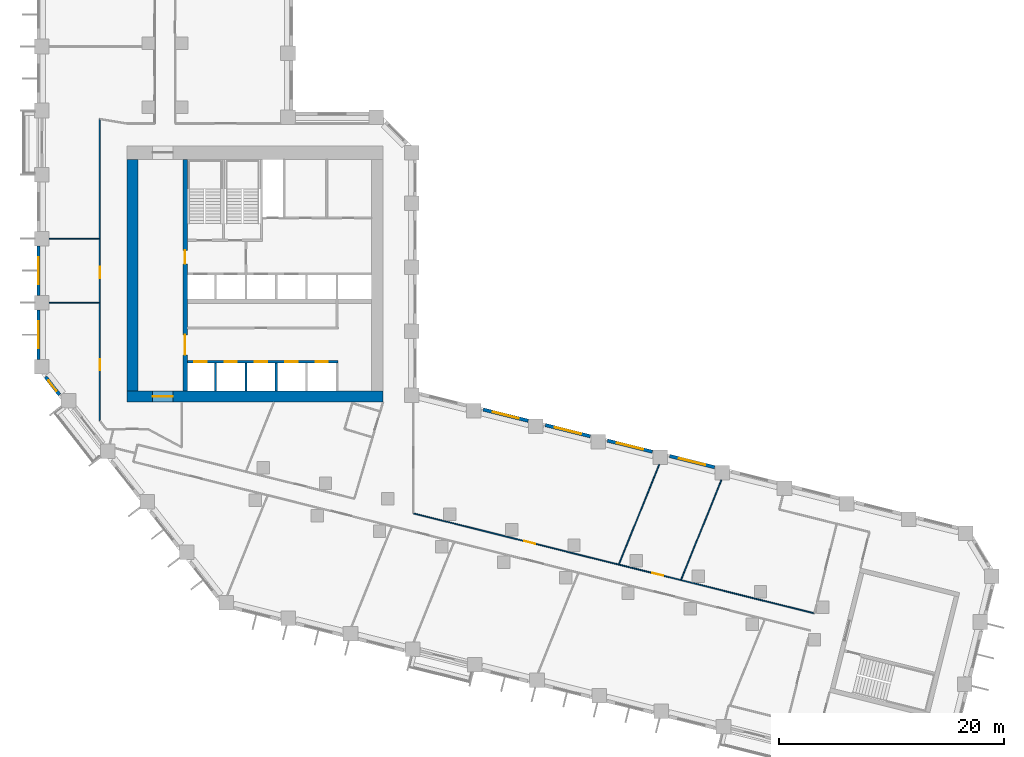
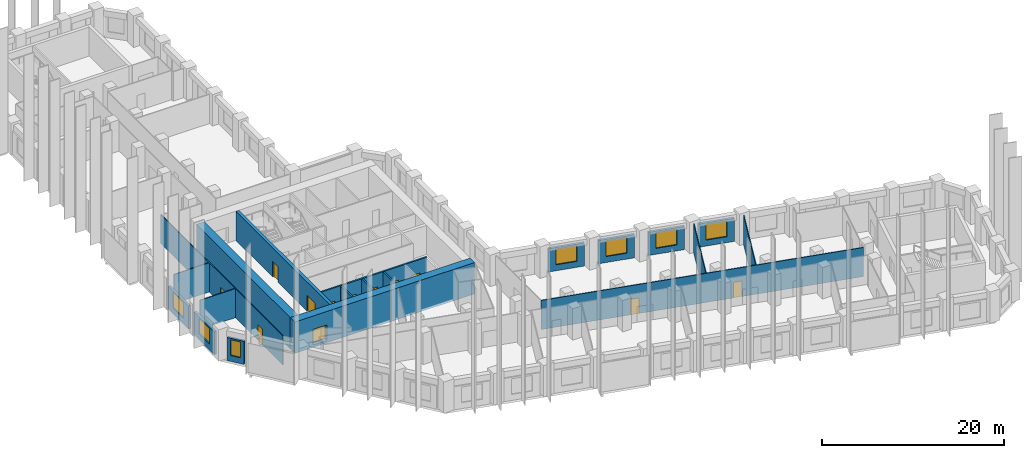
# One storey, part 4 of 10: 20 walls, 12 doors, 7 windows, 19 openings.
"""IFC4 building model written with IfcOpenShell, lengths in metres."""

from ifc_helpers import new_model, si_unit, direction, frame, frame_2d, origin, place, context, subcontext, project, spatial, rectangle, extrude, material, layer, layer_set, type_object, element, fill, save


model = new_model("IFC4")

# Units and contexts
model_context = context("Model", 3, precision=1e-05, world=origin(), true_north=direction((0.0, 1.0)))
body_context = subcontext(model_context, "Body", "Model", "MODEL_VIEW")
ifc_project = project(units=[si_unit("LENGTHUNIT", "METRE"), si_unit("AREAUNIT", "SQUARE_METRE"), si_unit("VOLUMEUNIT", "CUBIC_METRE"), si_unit("PLANEANGLEUNIT", "RADIAN"), si_unit("MASSUNIT", "GRAM", prefix="KILO")], contexts=[model_context])

# Site, building, storey
site_placement = place(None, origin())
site = spatial("IfcSite", under=ifc_project, at=site_placement, CompositionType="ELEMENT")
building_placement = place(site_placement, origin())
building = spatial("IfcBuilding", under=site, at=building_placement, Name="Meshkara Civic Tower", CompositionType="ELEMENT")
storey_placement = place(building_placement, frame((0.0, 0.0, 130.800048828125)))
storey = spatial("IfcBuildingStorey", under=building, at=storey_placement, Name="L29", CompositionType="ELEMENT", Elevation=130.800048828125)

# Wall, opening, door
ifc_material_1 = material(Name="Concrete C70", Category="concrete")
ifc_layer_1 = layer(ifc_material_1, 1.0)
ifc_layer_set_1 = layer_set([ifc_layer_1], Name="Core ring wall 1000 C70")
wall_type_1 = type_object("IfcWallType", Name="Core ring wall 1000 C70", PredefinedType="SHEAR", material=ifc_layer_set_1)
wall_1_placement = place(storey_placement, frame((8.0, 14.60009765625, -0.300048828125), z_axis=(0.0, 0.0, 1.0), x_axis=(1.0, 0.0, 0.0)))
wall_1 = element("IfcWall", 1, at=wall_1_placement, inside=storey, type_object=wall_type_1, Name="L29-C001", PredefinedType="SHEAR", context=body_context, shape_type="SweptSolid", body=[
    extrude(rectangle(XDim=22.800048828125, YDim=1.0, at=frame_2d((11.39990234375, 0.0))), origin(), (0.0, 0.0, 1.0), 4.199951171875),
])
opening_1_placement = place(wall_1_placement, frame((2.300048828125, 0.0, 0.300048828125)))
opening_1 = element("IfcOpeningElement", 2, at=opening_1_placement, cuts=wall_1, Name="Opening L29-K020", PredefinedType="OPENING", context=body_context, shape_type="SweptSolid", body=[
    extrude(rectangle(XDim=1.800048828125, YDim=2.10009765625, at=frame_2d((0.89990234375, 1.050048828125))), frame((0.0, 0.510009765625, 0.0), z_axis=(0.0, -1.0, 0.0), x_axis=(1.0, 0.0, 0.0)), (0.0, 0.0, 1.0), 1.02001953125),
])
ifc_material_2 = material(Name="Fire-rated door leaf in steel frame", Category="steel")
door_type_1 = type_object("IfcDoorType", Name="Core double door 1800 EI 60", OperationType="DOUBLE_DOOR_SINGLE_SWING", PredefinedType="DOOR", material=ifc_material_2)
door_1_placement = place(opening_1_placement, origin())
door_1 = element("IfcDoor", 3, at=door_1_placement, inside=storey, type_object=door_type_1, Name="L29-K020", OperationType="DOUBLE_DOOR_SINGLE_SWING", OverallHeight=2.10009765625, OverallWidth=1.800048828125, PredefinedType="DOOR", context=body_context, shape_type="SweptSolid", body=[
    extrude(rectangle(XDim=1.800048828125, YDim=2.10009765625, at=frame_2d((0.89990234375, 1.050048828125))), frame((0.0, 0.02490234375, 0.0), z_axis=(0.0, -1.0, 0.0), x_axis=(1.0, 0.0, 0.0)), (0.0, 0.0, 1.0), 0.050048828125),
])
fill(opening_1, door_1)

# Wall
wall_2_placement = place(storey_placement, frame((8.5, 15.10009765625, -0.300048828125), z_axis=(0.0, 0.0, 1.0), x_axis=(0.0, 1.0, 0.0)))
element("IfcWall", 4, at=wall_2_placement, inside=storey, type_object=wall_type_1, Name="L29-C003", PredefinedType="SHEAR", context=body_context, shape_type="SweptSolid", body=[
    extrude(rectangle(XDim=20.599853515625, YDim=1.0, at=frame_2d((10.2998046875, 0.0))), origin(), (0.0, 0.0, 1.0), 4.199951171875),
])

# Wall, openings, doors
ifc_material_3 = material(Name="Concrete C70", Category="concrete")
ifc_layer_2 = layer(ifc_material_3, 0.39990234375)
ifc_layer_set_2 = layer_set([ifc_layer_2], Name="Core shear wall 400 C70")
wall_type_2 = type_object("IfcWallType", Name="Core shear wall 400 C70", PredefinedType="SHEAR", material=ifc_layer_set_2)
wall_3_placement = place(storey_placement, frame((13.199951171875, 15.10009765625, 0.0), z_axis=(0.0, 0.0, 1.0), x_axis=(0.0, 1.0, 0.0)))
wall_3 = element("IfcWall", 5, at=wall_3_placement, inside=storey, type_object=wall_type_2, Name="L29-C011", PredefinedType="SHEAR", context=body_context, shape_type="SweptSolid", body=[
    extrude(rectangle(XDim=20.599853515625, YDim=0.39990234375, at=frame_2d((10.2998046875, 0.0))), origin(), (0.0, 0.0, 1.0), 3.89990234375),
])
opening_2_placement = place(wall_3_placement, frame((3.199951171875, 0.0, 0.0)))
opening_2 = element("IfcOpeningElement", 6, at=opening_2_placement, cuts=wall_3, Name="Opening L29-K016", PredefinedType="OPENING", context=body_context, shape_type="SweptSolid", body=[
    extrude(rectangle(XDim=1.800048828125, YDim=2.10009765625, at=frame_2d((0.89990234375, 1.050048828125))), frame((0.0, 0.2099609375, 0.0), z_axis=(0.0, -1.0, 0.0), x_axis=(1.0, 0.0, 0.0)), (0.0, 0.0, 1.0), 0.419921875),
])
opening_3_placement = place(wall_3_placement, frame((11.300048828125, 0.0, 0.0)))
opening_3 = element("IfcOpeningElement", 7, at=opening_3_placement, cuts=wall_3, Name="Opening L29-K017", PredefinedType="OPENING", context=body_context, shape_type="SweptSolid", body=[
    extrude(rectangle(XDim=1.199951171875, YDim=2.10009765625, at=frame_2d((0.60009765625, 1.050048828125))), frame((0.0, 0.2099609375, 0.0), z_axis=(0.0, -1.0, 0.0), x_axis=(1.0, 0.0, 0.0)), (0.0, 0.0, 1.0), 0.419921875),
])
door_2_placement = place(opening_2_placement, origin())
door_2 = element("IfcDoor", 8, at=door_2_placement, inside=storey, type_object=door_type_1, Name="L29-K016", OperationType="DOUBLE_DOOR_SINGLE_SWING", OverallHeight=2.10009765625, OverallWidth=1.800048828125, PredefinedType="DOOR", context=body_context, shape_type="SweptSolid", body=[
    extrude(rectangle(XDim=1.800048828125, YDim=2.10009765625, at=frame_2d((0.89990234375, 1.050048828125))), frame((0.0, 0.02490234375, 0.0), z_axis=(0.0, -1.0, 0.0), x_axis=(1.0, 0.0, 0.0)), (0.0, 0.0, 1.0), 0.050048828125),
])
fill(opening_2, door_2)
ifc_material_4 = material(Name="Fire-rated door leaf in steel frame", Category="steel")
door_type_2 = type_object("IfcDoorType", Name="Fire-fighting lobby door 1200 EI 120", OperationType="SINGLE_SWING_LEFT", PredefinedType="DOOR", material=ifc_material_4)
door_3_placement = place(opening_3_placement, origin())
door_3 = element("IfcDoor", 9, at=door_3_placement, inside=storey, type_object=door_type_2, Name="L29-K017", OperationType="SINGLE_SWING_LEFT", OverallHeight=2.10009765625, OverallWidth=1.199951171875, PredefinedType="DOOR", context=body_context, shape_type="SweptSolid", body=[
    extrude(rectangle(XDim=1.199951171875, YDim=2.10009765625, at=frame_2d((0.60009765625, 1.050048828125))), frame((0.0, 0.02490234375, 0.0), z_axis=(0.0, -1.0, 0.0), x_axis=(1.0, 0.0, 0.0)), (0.0, 0.0, 1.0), 0.050048828125),
])
fill(opening_3, door_3)

ifc_material_5 = material(Name="Corridor wall 100")
ifc_layer_3 = layer(ifc_material_5, 0.10009765625)
ifc_layer_set_3 = layer_set([ifc_layer_3], Name="Corridor wall 100")
wall_type_3 = type_object("IfcWallType", Name="Corridor wall 100", PredefinedType="PARTITIONING", material=ifc_layer_set_3)
wall_4_placement = place(storey_placement, frame((5.60009765625, 12.449951171875, 0.0), z_axis=(0.0, 0.0, 1.0), x_axis=(0.0, 1.0, 0.0)))
wall_4 = element("IfcWall", 10, at=wall_4_placement, inside=storey, type_object=wall_type_3, Name="L29-W003", PredefinedType="PARTITIONING", context=body_context, shape_type="SweptSolid", body=[
    extrude(rectangle(XDim=26.85009765625, YDim=0.10009765625, at=frame_2d((13.425048828125, 0.0))), origin(), (0.0, 0.0, 1.0), 3.89990234375),
])
opening_4_placement = place(wall_4_placement, frame((4.47998046875, 0.0, 0.0)))
opening_4 = element("IfcOpeningElement", 11, at=opening_4_placement, cuts=wall_4, Name="Opening L29-D016", PredefinedType="OPENING", context=body_context, shape_type="SweptSolid", body=[
    extrude(rectangle(XDim=1.0, YDim=2.10009765625, at=frame_2d((0.5, 1.050048828125))), frame((0.0, 0.06005859375, 0.0), z_axis=(0.0, -1.0, 0.0), x_axis=(1.0, 0.0, 0.0)), (0.0, 0.0, 1.0), 0.1201171875),
])
opening_5_placement = place(wall_4_placement, frame((12.68505859375, 0.0, 0.0)))
opening_5 = element("IfcOpeningElement", 12, at=opening_5_placement, cuts=wall_4, Name="Opening L29-D018", PredefinedType="OPENING", context=body_context, shape_type="SweptSolid", body=[
    extrude(rectangle(XDim=1.0, YDim=2.10009765625, at=frame_2d((0.5, 1.050048828125))), frame((0.0, 0.06005859375, 0.0), z_axis=(0.0, -1.0, 0.0), x_axis=(1.0, 0.0, 0.0)), (0.0, 0.0, 1.0), 0.1201171875),
])
ifc_material_6 = material(Name="Door 1000 x 2100")
door_type_3 = type_object("IfcDoorType", Name="Door 1000 x 2100", OperationType="SINGLE_SWING_LEFT", PredefinedType="DOOR", material=ifc_material_6)
door_4_placement = place(opening_4_placement, origin())
door_4 = element("IfcDoor", 13, at=door_4_placement, inside=storey, type_object=door_type_3, Name="L29-D016", OperationType="SINGLE_SWING_LEFT", OverallHeight=2.10009765625, OverallWidth=1.0, PredefinedType="DOOR", context=body_context, shape_type="SweptSolid", body=[
    extrude(rectangle(XDim=1.0, YDim=2.10009765625, at=frame_2d((0.5, 1.050048828125))), frame((0.0, 0.02490234375, 0.0), z_axis=(0.0, -1.0, 0.0), x_axis=(1.0, 0.0, 0.0)), (0.0, 0.0, 1.0), 0.050048828125),
])
fill(opening_4, door_4)
door_5_placement = place(opening_5_placement, origin())
door_5 = element("IfcDoor", 14, at=door_5_placement, inside=storey, type_object=door_type_3, Name="L29-D018", OperationType="SINGLE_SWING_LEFT", OverallHeight=2.10009765625, OverallWidth=1.0, PredefinedType="DOOR", context=body_context, shape_type="SweptSolid", body=[
    extrude(rectangle(XDim=1.0, YDim=2.10009765625, at=frame_2d((0.5, 1.050048828125))), frame((0.0, 0.02490234375, 0.0), z_axis=(0.0, -1.0, 0.0), x_axis=(1.0, 0.0, 0.0)), (0.0, 0.0, 1.0), 0.050048828125),
])
fill(opening_5, door_5)

wall_5_placement = place(storey_placement, frame((33.5, 4.2041015625, 0.0), z_axis=(0.0, 0.0, 1.0), x_axis=(0.970297694708, -0.241914000513, 0.0)))
wall_5 = element("IfcWall", 15, at=wall_5_placement, inside=storey, type_object=wall_type_3, Name="L29-W022", PredefinedType="PARTITIONING", context=body_context, shape_type="SweptSolid", body=[
    extrude(rectangle(XDim=36.782470703125, YDim=0.10009765625, at=frame_2d((18.39111328125, 0.0))), origin(), (0.0, 0.0, 1.0), 3.89990234375),
])
opening_6_placement = place(wall_5_placement, frame((21.924072265625, 0.0, 0.0)))
opening_6 = element("IfcOpeningElement", 16, at=opening_6_placement, cuts=wall_5, Name="Opening L29-D004", PredefinedType="OPENING", context=body_context, shape_type="SweptSolid", body=[
    extrude(rectangle(XDim=1.0, YDim=2.10009765625, at=frame_2d((0.5, 1.050048828125))), frame((0.0, 0.06005859375, 0.0), z_axis=(0.0, -1.0, 0.0), x_axis=(1.0, 0.0, 0.0)), (0.0, 0.0, 1.0), 0.1201171875),
])
opening_7_placement = place(wall_5_placement, frame((10.179931640625, 0.0, 0.0)))
opening_7 = element("IfcOpeningElement", 17, at=opening_7_placement, cuts=wall_5, Name="Opening L29-D009", PredefinedType="OPENING", context=body_context, shape_type="SweptSolid", body=[
    extrude(rectangle(XDim=1.0, YDim=2.10009765625, at=frame_2d((0.5, 1.050048828125))), frame((0.0, 0.06005859375, 0.0), z_axis=(0.0, -1.0, 0.0), x_axis=(1.0, 0.0, 0.0)), (0.0, 0.0, 1.0), 0.1201171875),
])
door_6_placement = place(opening_6_placement, origin())
door_6 = element("IfcDoor", 18, at=door_6_placement, inside=storey, type_object=door_type_3, Name="L29-D004", OperationType="SINGLE_SWING_RIGHT", OverallHeight=2.10009765625, OverallWidth=1.0, PredefinedType="DOOR", context=body_context, shape_type="SweptSolid", body=[
    extrude(rectangle(XDim=1.0, YDim=2.10009765625, at=frame_2d((0.5, 1.050048828125))), frame((0.0, 0.02490234375, 0.0), z_axis=(0.0, -1.0, 0.0), x_axis=(1.0, 0.0, 0.0)), (0.0, 0.0, 1.0), 0.050048828125),
])
fill(opening_6, door_6)
door_7_placement = place(opening_7_placement, origin())
door_7 = element("IfcDoor", 19, at=door_7_placement, inside=storey, type_object=door_type_3, Name="L29-D009", OperationType="SINGLE_SWING_RIGHT", OverallHeight=2.10009765625, OverallWidth=1.0, PredefinedType="DOOR", context=body_context, shape_type="SweptSolid", body=[
    extrude(rectangle(XDim=1.0, YDim=2.10009765625, at=frame_2d((0.5, 1.050048828125))), frame((0.0, 0.02490234375, 0.0), z_axis=(0.0, -1.0, 0.0), x_axis=(1.0, 0.0, 0.0)), (0.0, 0.0, 1.0), 0.050048828125),
])
fill(opening_7, door_7)

# Wall, opening, window
ifc_material_7 = material(Name="Insulated infill panel with bronze anodised aluminium cladding", Category="aluminium")
ifc_layer_4 = layer(ifc_material_7, 0.300048828125)
ifc_layer_set_4 = layer_set([ifc_layer_4], Name="EXTERNAL INFILL WALL 300")
wall_type_4 = type_object("IfcWallType", Name="EXTERNAL INFILL WALL 300", PredefinedType="SOLIDWALL", material=ifc_layer_set_4)
wall_6_placement = place(storey_placement, frame((60.31103515625, 8.305908203125, 0.0), z_axis=(0.0, 0.0, 1.0), x_axis=(-0.970267747908, 0.242034083076, 0.0)))
wall_6 = element("IfcWall", 20, at=wall_6_placement, inside=storey, type_object=wall_type_4, Name="External wall", PredefinedType="SOLIDWALL", context=body_context, shape_type="SweptSolid", body=[
    extrude(rectangle(XDim=4.12353515625, YDim=0.300048828125, at=frame_2d((2.061767578125, 0.0))), origin(), (0.0, 0.0, 1.0), 3.099853515625),
])
opening_8_placement = place(wall_6_placement, frame((0.862060546875, 0.0, 0.800048828125)))
opening_8 = element("IfcOpeningElement", 21, at=opening_8_placement, cuts=wall_6, Name="Opening W7", PredefinedType="OPENING", context=body_context, shape_type="SweptSolid", body=[
    extrude(rectangle(XDim=2.39990234375, YDim=2.10009765625, at=frame_2d((1.199951171875, 1.050048828125))), frame((0.0, 0.159912109375, 0.0), z_axis=(0.0, -1.0, 0.0), x_axis=(1.0, 0.0, 0.0)), (0.0, 0.0, 1.0), 0.320068359375),
])
ifc_material_8 = material(Name="Tinted double glazing", Category="glass")
window_type_1 = type_object("IfcWindowType", Name="WINDOW 2400x2100", PartitioningType="DOUBLE_PANEL_VERTICAL", PredefinedType="WINDOW", material=ifc_material_8)
window_1_placement = place(opening_8_placement, origin())
window_1 = element("IfcWindow", 22, at=window_1_placement, inside=storey, type_object=window_type_1, Name="Window", OverallHeight=2.10009765625, OverallWidth=2.39990234375, PartitioningType="DOUBLE_PANEL_VERTICAL", PredefinedType="WINDOW", context=body_context, shape_type="SweptSolid", body=[
    extrude(rectangle(XDim=2.39990234375, YDim=2.10009765625, at=frame_2d((1.199951171875, 1.050048828125))), frame((0.0, 0.030029296875, 0.0), z_axis=(0.0, -1.0, 0.0), x_axis=(1.0, 0.0, 0.0)), (0.0, 0.0, 1.0), 0.06005859375),
])
fill(opening_8, window_1)

wall_7_placement = place(storey_placement, frame((54.781005859375, 9.68505859375, 0.0), z_axis=(0.0, 0.0, 1.0), x_axis=(-0.970281616392, 0.241978480223, 0.0)))
wall_7 = element("IfcWall", 23, at=wall_7_placement, inside=storey, type_object=wall_type_4, Name="External wall", PredefinedType="SOLIDWALL", context=body_context, shape_type="SweptSolid", body=[
    extrude(rectangle(XDim=4.12451171875, YDim=0.300048828125, at=frame_2d((2.062255859375, 0.0))), origin(), (0.0, 0.0, 1.0), 3.099853515625),
])
opening_9_placement = place(wall_7_placement, frame((0.862060546875, 0.0, 0.800048828125)))
opening_9 = element("IfcOpeningElement", 24, at=opening_9_placement, cuts=wall_7, Name="Opening W7", PredefinedType="OPENING", context=body_context, shape_type="SweptSolid", body=[
    extrude(rectangle(XDim=2.39990234375, YDim=2.10009765625, at=frame_2d((1.199951171875, 1.050048828125))), frame((0.0, 0.159912109375, 0.0), z_axis=(0.0, -1.0, 0.0), x_axis=(1.0, 0.0, 0.0)), (0.0, 0.0, 1.0), 0.320068359375),
])
window_2_placement = place(opening_9_placement, origin())
window_2 = element("IfcWindow", 25, at=window_2_placement, inside=storey, type_object=window_type_1, Name="Window", OverallHeight=2.10009765625, OverallWidth=2.39990234375, PartitioningType="DOUBLE_PANEL_VERTICAL", PredefinedType="WINDOW", context=body_context, shape_type="SweptSolid", body=[
    extrude(rectangle(XDim=2.39990234375, YDim=2.10009765625, at=frame_2d((1.199951171875, 1.050048828125))), frame((0.0, 0.030029296875, 0.0), z_axis=(0.0, -1.0, 0.0), x_axis=(1.0, 0.0, 0.0)), (0.0, 0.0, 1.0), 0.06005859375),
])
fill(opening_9, window_2)

wall_8_placement = place(storey_placement, frame((49.25, 11.06396484375, 0.0), z_axis=(0.0, 0.0, 1.0), x_axis=(-0.970281616392, 0.241978480223, 0.0)))
wall_8 = element("IfcWall", 26, at=wall_8_placement, inside=storey, type_object=wall_type_4, Name="External wall", PredefinedType="SOLIDWALL", context=body_context, shape_type="SweptSolid", body=[
    extrude(rectangle(XDim=4.12451171875, YDim=0.300048828125, at=frame_2d((2.062255859375, 0.0))), origin(), (0.0, 0.0, 1.0), 3.099853515625),
])
opening_10_placement = place(wall_8_placement, frame((0.862060546875, 0.0, 0.800048828125)))
opening_10 = element("IfcOpeningElement", 27, at=opening_10_placement, cuts=wall_8, Name="Opening W7", PredefinedType="OPENING", context=body_context, shape_type="SweptSolid", body=[
    extrude(rectangle(XDim=2.39990234375, YDim=2.10009765625, at=frame_2d((1.199951171875, 1.050048828125))), frame((0.0, 0.159912109375, 0.0), z_axis=(0.0, -1.0, 0.0), x_axis=(1.0, 0.0, 0.0)), (0.0, 0.0, 1.0), 0.320068359375),
])
window_3_placement = place(opening_10_placement, origin())
window_3 = element("IfcWindow", 28, at=window_3_placement, inside=storey, type_object=window_type_1, Name="Window", OverallHeight=2.10009765625, OverallWidth=2.39990234375, PartitioningType="DOUBLE_PANEL_VERTICAL", PredefinedType="WINDOW", context=body_context, shape_type="SweptSolid", body=[
    extrude(rectangle(XDim=2.39990234375, YDim=2.10009765625, at=frame_2d((1.199951171875, 1.050048828125))), frame((0.0, 0.030029296875, 0.0), z_axis=(0.0, -1.0, 0.0), x_axis=(1.0, 0.0, 0.0)), (0.0, 0.0, 1.0), 0.06005859375),
])
fill(opening_10, window_3)

wall_9_placement = place(storey_placement, frame((43.718994140625, 12.443115234375, 0.0), z_axis=(0.0, 0.0, 1.0), x_axis=(-0.970281650314, 0.241978344205, 0.0)))
wall_9 = element("IfcWall", 29, at=wall_9_placement, inside=storey, type_object=wall_type_4, Name="External wall", PredefinedType="SOLIDWALL", context=body_context, shape_type="SweptSolid", body=[
    extrude(rectangle(XDim=4.12353515625, YDim=0.300048828125, at=frame_2d((2.061767578125, 0.0))), origin(), (0.0, 0.0, 1.0), 3.099853515625),
])
opening_11_placement = place(wall_9_placement, frame((0.862060546875, 0.0, 0.800048828125)))
opening_11 = element("IfcOpeningElement", 30, at=opening_11_placement, cuts=wall_9, Name="Opening W7", PredefinedType="OPENING", context=body_context, shape_type="SweptSolid", body=[
    extrude(rectangle(XDim=2.39990234375, YDim=2.10009765625, at=frame_2d((1.199951171875, 1.050048828125))), frame((0.0, 0.159912109375, 0.0), z_axis=(0.0, -1.0, 0.0), x_axis=(1.0, 0.0, 0.0)), (0.0, 0.0, 1.0), 0.320068359375),
])
window_4_placement = place(opening_11_placement, origin())
window_4 = element("IfcWindow", 31, at=window_4_placement, inside=storey, type_object=window_type_1, Name="Window", OverallHeight=2.10009765625, OverallWidth=2.39990234375, PartitioningType="DOUBLE_PANEL_VERTICAL", PredefinedType="WINDOW", context=body_context, shape_type="SweptSolid", body=[
    extrude(rectangle(XDim=2.39990234375, YDim=2.10009765625, at=frame_2d((1.199951171875, 1.050048828125))), frame((0.0, 0.030029296875, 0.0), z_axis=(0.0, -1.0, 0.0), x_axis=(1.0, 0.0, 0.0)), (0.0, 0.0, 1.0), 0.06005859375),
])
fill(opening_11, window_4)

wall_10_placement = place(storey_placement, frame((0.14990234375, 28.0048828125, 0.0), z_axis=(0.0, 0.0, 1.0), x_axis=(0.0, -1.0, 0.0)))
wall_10 = element("IfcWall", 32, at=wall_10_placement, inside=storey, type_object=wall_type_4, Name="External wall", PredefinedType="SOLIDWALL", context=body_context, shape_type="SweptSolid", body=[
    extrude(rectangle(XDim=4.39990234375, YDim=0.300048828125, at=frame_2d((2.199951171875, 0.0))), origin(), (0.0, 0.0, 1.0), 3.099853515625),
])
opening_12_placement = place(wall_10_placement, frame((1.0, 0.0, 0.800048828125)))
opening_12 = element("IfcOpeningElement", 33, at=opening_12_placement, cuts=wall_10, Name="Opening W7", PredefinedType="OPENING", context=body_context, shape_type="SweptSolid", body=[
    extrude(rectangle(XDim=2.39990234375, YDim=2.10009765625, at=frame_2d((1.199951171875, 1.050048828125))), frame((0.0, 0.159912109375, 0.0), z_axis=(0.0, -1.0, 0.0), x_axis=(1.0, 0.0, 0.0)), (0.0, 0.0, 1.0), 0.320068359375),
])
window_5_placement = place(opening_12_placement, origin())
window_5 = element("IfcWindow", 34, at=window_5_placement, inside=storey, type_object=window_type_1, Name="Window", OverallHeight=2.10009765625, OverallWidth=2.39990234375, PartitioningType="DOUBLE_PANEL_VERTICAL", PredefinedType="WINDOW", context=body_context, shape_type="SweptSolid", body=[
    extrude(rectangle(XDim=2.39990234375, YDim=2.10009765625, at=frame_2d((1.199951171875, 1.050048828125))), frame((0.0, 0.030029296875, 0.0), z_axis=(0.0, -1.0, 0.0), x_axis=(1.0, 0.0, 0.0)), (0.0, 0.0, 1.0), 0.06005859375),
])
fill(opening_12, window_5)

wall_11_placement = place(storey_placement, frame((0.14990234375, 22.304931640625, 0.0), z_axis=(0.0, 0.0, 1.0), x_axis=(0.0, -1.0, 0.0)))
wall_11 = element("IfcWall", 35, at=wall_11_placement, inside=storey, type_object=wall_type_4, Name="External wall", PredefinedType="SOLIDWALL", context=body_context, shape_type="SweptSolid", body=[
    extrude(rectangle(XDim=4.39990234375, YDim=0.300048828125, at=frame_2d((2.199951171875, 0.0))), origin(), (0.0, 0.0, 1.0), 3.099853515625),
])
opening_13_placement = place(wall_11_placement, frame((1.0, 0.0, 0.800048828125)))
opening_13 = element("IfcOpeningElement", 36, at=opening_13_placement, cuts=wall_11, Name="Opening W7", PredefinedType="OPENING", context=body_context, shape_type="SweptSolid", body=[
    extrude(rectangle(XDim=2.39990234375, YDim=2.10009765625, at=frame_2d((1.199951171875, 1.050048828125))), frame((0.0, 0.159912109375, 0.0), z_axis=(0.0, -1.0, 0.0), x_axis=(1.0, 0.0, 0.0)), (0.0, 0.0, 1.0), 0.320068359375),
])
window_6_placement = place(opening_13_placement, origin())
window_6 = element("IfcWindow", 37, at=window_6_placement, inside=storey, type_object=window_type_1, Name="Window", OverallHeight=2.10009765625, OverallWidth=2.39990234375, PartitioningType="DOUBLE_PANEL_VERTICAL", PredefinedType="WINDOW", context=body_context, shape_type="SweptSolid", body=[
    extrude(rectangle(XDim=2.39990234375, YDim=2.10009765625, at=frame_2d((1.199951171875, 1.050048828125))), frame((0.0, 0.030029296875, 0.0), z_axis=(0.0, -1.0, 0.0), x_axis=(1.0, 0.0, 0.0)), (0.0, 0.0, 1.0), 0.06005859375),
])
fill(opening_13, window_6)

wall_12_placement = place(storey_placement, frame((0.77490234375, 16.35107421875, 0.0), z_axis=(0.0, 0.0, 1.0), x_axis=(0.6157921118, -0.787908671766, 0.0)))
wall_12 = element("IfcWall", 38, at=wall_12_placement, inside=storey, type_object=wall_type_4, Name="External wall", PredefinedType="SOLIDWALL", context=body_context, shape_type="SweptSolid", body=[
    extrude(rectangle(XDim=2.015625, YDim=0.300048828125, at=frame_2d((1.0078125, 0.0))), origin(), (0.0, 0.0, 1.0), 3.099853515625),
])
opening_14_placement = place(wall_12_placement, frame((0.407958984375, 0.0, 0.800048828125)))
opening_14 = element("IfcOpeningElement", 39, at=opening_14_placement, cuts=wall_12, Name="Opening W3", PredefinedType="OPENING", context=body_context, shape_type="SweptSolid", body=[
    extrude(rectangle(XDim=1.199951171875, YDim=2.10009765625, at=frame_2d((0.60009765625, 1.050048828125))), frame((0.0, 0.159912109375, 0.0), z_axis=(0.0, -1.0, 0.0), x_axis=(1.0, 0.0, 0.0)), (0.0, 0.0, 1.0), 0.320068359375),
])
ifc_material_9 = material(Name="Tinted double glazing", Category="glass")
window_type_2 = type_object("IfcWindowType", Name="WINDOW 1200x2100", PartitioningType="SINGLE_PANEL", PredefinedType="WINDOW", material=ifc_material_9)
window_7_placement = place(opening_14_placement, origin())
window_7 = element("IfcWindow", 40, at=window_7_placement, inside=storey, type_object=window_type_2, Name="Window", OverallHeight=2.10009765625, OverallWidth=1.199951171875, PartitioningType="SINGLE_PANEL", PredefinedType="WINDOW", context=body_context, shape_type="SweptSolid", body=[
    extrude(rectangle(XDim=1.199951171875, YDim=2.10009765625, at=frame_2d((0.60009765625, 1.050048828125))), frame((0.0, 0.030029296875, 0.0), z_axis=(0.0, -1.0, 0.0), x_axis=(1.0, 0.0, 0.0)), (0.0, 0.0, 1.0), 0.06005859375),
])
fill(opening_14, window_7)

# Walls
ifc_material_10 = material(Name="Partition 100")
ifc_layer_5 = layer(ifc_material_10, 0.10009765625)
ifc_layer_set_5 = layer_set([ifc_layer_5], Name="Partition 100")
wall_type_5 = type_object("IfcWallType", Name="Partition 100", PredefinedType="PARTITIONING", material=ifc_layer_set_5)
for number, where, z_axis, x_axis, name in (
    (41, (5.550048828125, 22.955078125, 0.0), (0.0, 0.0, 1.0), (-1.0, 0.0, 0.0), "L29-W033"),
    (42, (5.550048828125, 28.655029296875, 0.0), (0.0, 0.0, 1.0), (-1.0, 0.0, 0.0), "L29-W034"),
):
    element("IfcWall", number, at=place(storey_placement, frame(where, z_axis=z_axis, x_axis=x_axis)), inside=storey, type_object=wall_type_5, Name=name, PredefinedType="PARTITIONING", context=body_context, shape_type="SweptSolid", body=[
        extrude(rectangle(XDim=4.449951171875, YDim=0.10009765625, at=frame_2d((2.22509765625, 0.0))), origin(), (0.0, 0.0, 1.0), 3.89990234375),
    ])
wall_13_placement = place(storey_placement, frame((51.805908203125, -0.301025390625, 0.0), z_axis=(0.0, 0.0, 1.0), x_axis=(0.374597469954, 0.927187540633, 0.0)))
element("IfcWall", 43, at=wall_13_placement, inside=storey, type_object=wall_type_5, Name="L29-W049", PredefinedType="PARTITIONING", context=body_context, shape_type="SweptSolid", body=[
    extrude(rectangle(XDim=9.54931640625, YDim=0.10009765625, at=frame_2d((4.774658203125, 0.0))), origin(), (0.0, 0.0, 1.0), 3.89990234375),
])
wall_14_placement = place(storey_placement, frame((57.3369140625, -1.679931640625, 0.0), z_axis=(0.0, 0.0, 1.0), x_axis=(0.374509549879, 0.927223056793, 0.0)))
element("IfcWall", 44, at=wall_14_placement, inside=storey, type_object=wall_type_5, Name="L29-W050", PredefinedType="PARTITIONING", context=body_context, shape_type="SweptSolid", body=[
    extrude(rectangle(XDim=9.548828125, YDim=0.10009765625, at=frame_2d((4.7744140625, 0.0))), origin(), (0.0, 0.0, 1.0), 3.89990234375),
])

# Wall, openings, doors
ifc_material_11 = material(Name="Concrete C40/50", Category="concrete")
ifc_layer_6 = layer(ifc_material_11, 0.199951171875)
ifc_layer_set_6 = layer_set([ifc_layer_6], Name="Shaft wall 200 C40/50")
wall_type_6 = type_object("IfcWallType", Name="Shaft wall 200 C40/50", PredefinedType="SOLIDWALL", material=ifc_layer_set_6)
wall_15_placement = place(storey_placement, frame((13.39990234375, 17.699951171875, 0.0), z_axis=(0.0, 0.0, 1.0), x_axis=(1.0, 0.0, 0.0)))
wall_15 = element("IfcWall", 45, at=wall_15_placement, inside=storey, type_object=wall_type_6, Name="L29-C005", PredefinedType="SOLIDWALL", context=body_context, shape_type="SweptSolid", body=[
    extrude(rectangle(XDim=13.400146484375, YDim=0.199951171875, at=frame_2d((6.7001953125, 0.0))), origin(), (0.0, 0.0, 1.0), 3.89990234375),
])
opening_15_placement = place(wall_15_placement, frame((0.60009765625, 0.0, 0.0)))
opening_15 = element("IfcOpeningElement", 46, at=opening_15_placement, cuts=wall_15, Name="Opening L29-K001", PredefinedType="OPENING", context=body_context, shape_type="SweptSolid", body=[
    extrude(rectangle(XDim=1.10009765625, YDim=2.10009765625, at=frame_2d((0.550048828125, 1.050048828125))), frame((0.0, 0.10986328125, 0.0), z_axis=(0.0, -1.0, 0.0), x_axis=(1.0, 0.0, 0.0)), (0.0, 0.0, 1.0), 0.219970703125),
])
opening_16_placement = place(wall_15_placement, frame((3.300048828125, 0.0, 0.0)))
opening_16 = element("IfcOpeningElement", 47, at=opening_16_placement, cuts=wall_15, Name="Opening L29-K002", PredefinedType="OPENING", context=body_context, shape_type="SweptSolid", body=[
    extrude(rectangle(XDim=1.10009765625, YDim=2.10009765625, at=frame_2d((0.550048828125, 1.050048828125))), frame((0.0, 0.10986328125, 0.0), z_axis=(0.0, -1.0, 0.0), x_axis=(1.0, 0.0, 0.0)), (0.0, 0.0, 1.0), 0.219970703125),
])
opening_17_placement = place(wall_15_placement, frame((6.0, 0.0, 0.0)))
opening_17 = element("IfcOpeningElement", 48, at=opening_17_placement, cuts=wall_15, Name="Opening L29-K003", PredefinedType="OPENING", context=body_context, shape_type="SweptSolid", body=[
    extrude(rectangle(XDim=1.10009765625, YDim=2.10009765625, at=frame_2d((0.550048828125, 1.050048828125))), frame((0.0, 0.10986328125, 0.0), z_axis=(0.0, -1.0, 0.0), x_axis=(1.0, 0.0, 0.0)), (0.0, 0.0, 1.0), 0.219970703125),
])
opening_18_placement = place(wall_15_placement, frame((8.699951171875, 0.0, 0.0)))
opening_18 = element("IfcOpeningElement", 49, at=opening_18_placement, cuts=wall_15, Name="Opening L29-K004", PredefinedType="OPENING", context=body_context, shape_type="SweptSolid", body=[
    extrude(rectangle(XDim=1.10009765625, YDim=2.10009765625, at=frame_2d((0.550048828125, 1.050048828125))), frame((0.0, 0.10986328125, 0.0), z_axis=(0.0, -1.0, 0.0), x_axis=(1.0, 0.0, 0.0)), (0.0, 0.0, 1.0), 0.219970703125),
])
opening_19_placement = place(wall_15_placement, frame((11.39990234375, 0.0, 0.0)))
opening_19 = element("IfcOpeningElement", 50, at=opening_19_placement, cuts=wall_15, Name="Opening L29-K005", PredefinedType="OPENING", context=body_context, shape_type="SweptSolid", body=[
    extrude(rectangle(XDim=1.10009765625, YDim=2.10009765625, at=frame_2d((0.550048828125, 1.050048828125))), frame((0.0, 0.10986328125, 0.0), z_axis=(0.0, -1.0, 0.0), x_axis=(1.0, 0.0, 0.0)), (0.0, 0.0, 1.0), 0.219970703125),
])
ifc_material_12 = material(Name="Stainless steel landing door", Category="steel")
door_type_4 = type_object("IfcDoorType", Name="Lift landing door 1100", OperationType="SLIDING_TO_LEFT", PredefinedType="DOOR", material=ifc_material_12)
door_8_placement = place(opening_15_placement, origin())
door_8 = element("IfcDoor", 51, at=door_8_placement, inside=storey, type_object=door_type_4, Name="L29-K001", OperationType="SLIDING_TO_LEFT", OverallHeight=2.10009765625, OverallWidth=1.10009765625, PredefinedType="DOOR", context=body_context, shape_type="SweptSolid", body=[
    extrude(rectangle(XDim=1.10009765625, YDim=2.10009765625, at=frame_2d((0.550048828125, 1.050048828125))), frame((0.0, 0.02490234375, 0.0), z_axis=(0.0, -1.0, 0.0), x_axis=(1.0, 0.0, 0.0)), (0.0, 0.0, 1.0), 0.050048828125),
])
fill(opening_15, door_8)
door_9_placement = place(opening_16_placement, origin())
door_9 = element("IfcDoor", 52, at=door_9_placement, inside=storey, type_object=door_type_4, Name="L29-K002", OperationType="SLIDING_TO_LEFT", OverallHeight=2.10009765625, OverallWidth=1.10009765625, PredefinedType="DOOR", context=body_context, shape_type="SweptSolid", body=[
    extrude(rectangle(XDim=1.10009765625, YDim=2.10009765625, at=frame_2d((0.550048828125, 1.050048828125))), frame((0.0, 0.02490234375, 0.0), z_axis=(0.0, -1.0, 0.0), x_axis=(1.0, 0.0, 0.0)), (0.0, 0.0, 1.0), 0.050048828125),
])
fill(opening_16, door_9)
door_10_placement = place(opening_17_placement, origin())
door_10 = element("IfcDoor", 53, at=door_10_placement, inside=storey, type_object=door_type_4, Name="L29-K003", OperationType="SLIDING_TO_LEFT", OverallHeight=2.10009765625, OverallWidth=1.10009765625, PredefinedType="DOOR", context=body_context, shape_type="SweptSolid", body=[
    extrude(rectangle(XDim=1.10009765625, YDim=2.10009765625, at=frame_2d((0.550048828125, 1.050048828125))), frame((0.0, 0.02490234375, 0.0), z_axis=(0.0, -1.0, 0.0), x_axis=(1.0, 0.0, 0.0)), (0.0, 0.0, 1.0), 0.050048828125),
])
fill(opening_17, door_10)
door_11_placement = place(opening_18_placement, origin())
door_11 = element("IfcDoor", 54, at=door_11_placement, inside=storey, type_object=door_type_4, Name="L29-K004", OperationType="SLIDING_TO_LEFT", OverallHeight=2.10009765625, OverallWidth=1.10009765625, PredefinedType="DOOR", context=body_context, shape_type="SweptSolid", body=[
    extrude(rectangle(XDim=1.10009765625, YDim=2.10009765625, at=frame_2d((0.550048828125, 1.050048828125))), frame((0.0, 0.02490234375, 0.0), z_axis=(0.0, -1.0, 0.0), x_axis=(1.0, 0.0, 0.0)), (0.0, 0.0, 1.0), 0.050048828125),
])
fill(opening_18, door_11)
door_12_placement = place(opening_19_placement, origin())
door_12 = element("IfcDoor", 55, at=door_12_placement, inside=storey, type_object=door_type_4, Name="L29-K005", OperationType="SLIDING_TO_LEFT", OverallHeight=2.10009765625, OverallWidth=1.10009765625, PredefinedType="DOOR", context=body_context, shape_type="SweptSolid", body=[
    extrude(rectangle(XDim=1.10009765625, YDim=2.10009765625, at=frame_2d((0.550048828125, 1.050048828125))), frame((0.0, 0.02490234375, 0.0), z_axis=(0.0, -1.0, 0.0), x_axis=(1.0, 0.0, 0.0)), (0.0, 0.0, 1.0), 0.050048828125),
])
fill(opening_19, door_12)

# Walls
for number, where, z_axis, x_axis, name in (
    (56, (15.89990234375, 15.10009765625, 0.0), (0.0, 0.0, 1.0), (0.0, 1.0, 0.0), "L29-C012"),
    (57, (18.60009765625, 15.10009765625, 0.0), (0.0, 0.0, 1.0), (0.0, 1.0, 0.0), "L29-C015"),
    (58, (21.300048828125, 15.10009765625, 0.0), (0.0, 0.0, 1.0), (0.0, 1.0, 0.0), "L29-C018"),
):
    element("IfcWall", number, at=place(storey_placement, frame(where, z_axis=z_axis, x_axis=x_axis)), inside=storey, type_object=wall_type_6, Name=name, PredefinedType="SOLIDWALL", context=body_context, shape_type="SweptSolid", body=[
        extrude(rectangle(XDim=2.5, YDim=0.199951171875, at=frame_2d((1.25, 0.0))), origin(), (0.0, 0.0, 1.0), 3.89990234375),
    ])

save(model, "model.ifc")
